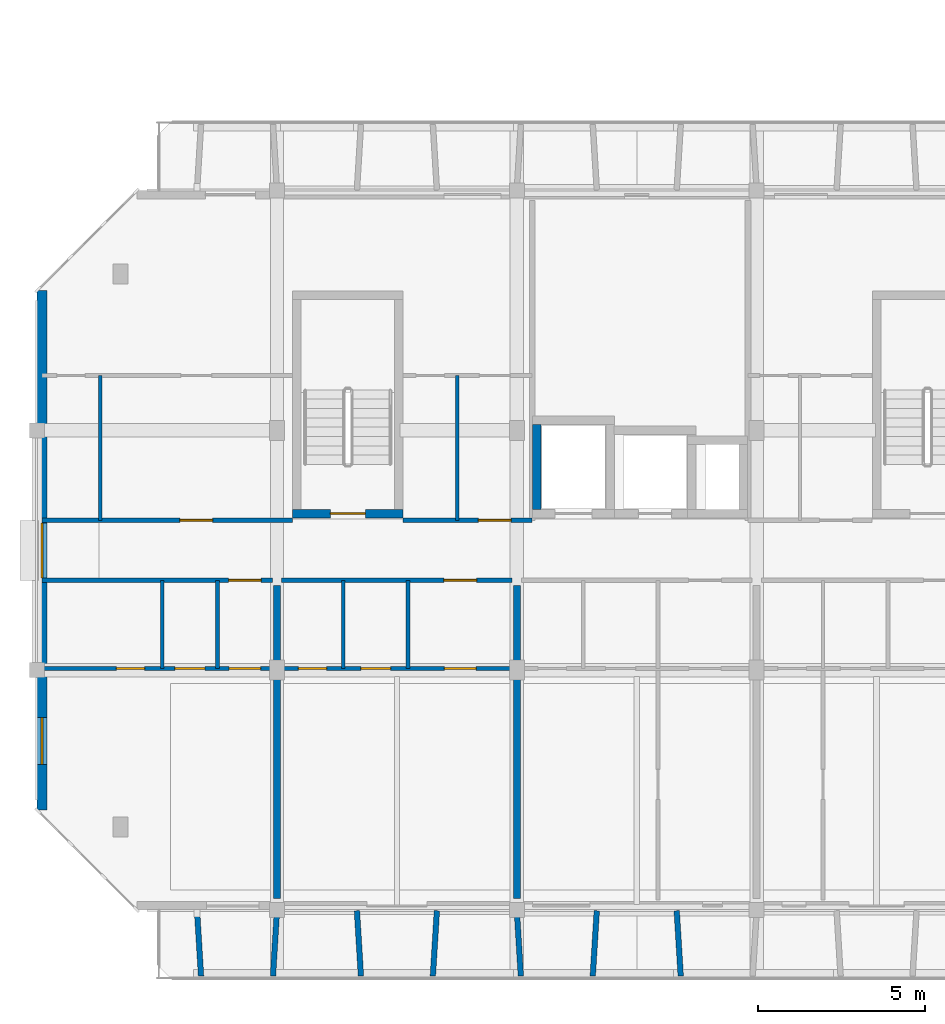
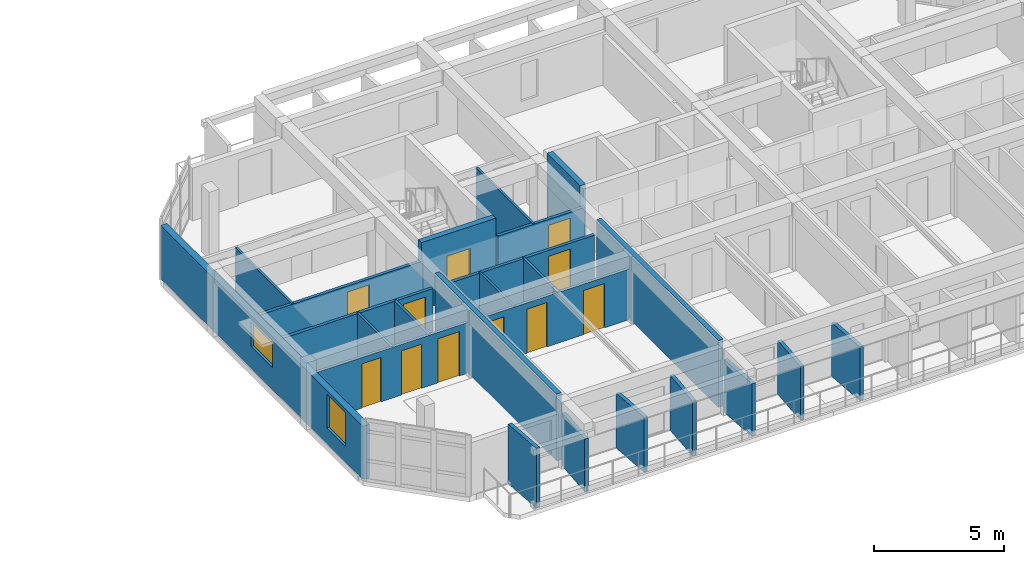
# One storey, part 8 of 22: 24 walls, 11 doors, 2 windows, 13 openings.
"""IFC4 building model written with IfcOpenShell, lengths in metres."""

from ifc_helpers import new_model, si_unit, direction, frame, frame_2d, origin, place, context, subcontext, project, spatial, rectangle, extrude, material, layer, layer_set, type_object, element, fill, save


model = new_model("IFC4")

# Units and contexts
model_context = context("Model", 3, precision=1e-05, world=origin(), true_north=direction((0.0, 1.0)))
body_context = subcontext(model_context, "Body", "Model", "MODEL_VIEW")
ifc_project = project(units=[si_unit("LENGTHUNIT", "METRE"), si_unit("AREAUNIT", "SQUARE_METRE"), si_unit("VOLUMEUNIT", "CUBIC_METRE"), si_unit("PLANEANGLEUNIT", "RADIAN"), si_unit("MASSUNIT", "GRAM", prefix="KILO")], contexts=[model_context])

# Site, building, storey
site_placement = place(None, origin())
site = spatial("IfcSite", under=ifc_project, at=site_placement, CompositionType="ELEMENT")
building_placement = place(site_placement, origin())
building = spatial("IfcBuilding", under=site, at=building_placement, Name="Ochrevale Crest", CompositionType="ELEMENT")
storey_placement = place(building_placement, frame((0.0, 0.0, 40.199951171875)))
storey = spatial("IfcBuildingStorey", under=building, at=storey_placement, Name="L12", CompositionType="ELEMENT", Elevation=40.199951171875)

# Wall, opening, door
ifc_material_1 = material(Name="Gypsum plasterboard", Category="gypsum")
ifc_layer_1 = layer(ifc_material_1, 0.139892578125)
ifc_layer_set_1 = layer_set([ifc_layer_1], Name="Gypsum plasterboard")
wall_type_1 = type_object("IfcWallType", Name="WL-COR-140", PredefinedType="PARTITIONING", material=ifc_layer_set_1)
wall_1_placement = place(storey_placement, frame((129.739990234375, 24.300048828125, 0.0), z_axis=(0.0, 0.0, 1.0), x_axis=(1.0, 0.0, 0.0)))
wall_1 = element("IfcWall", 1, at=wall_1_placement, inside=storey, type_object=wall_type_1, Name="Apartment C-L12-U1 corridor wall", PredefinedType="PARTITIONING", context=body_context, shape_type="SweptSolid", body=[
    extrude(rectangle(XDim=6.919921875, YDim=0.139892578125, at=frame_2d((3.4599609375, 0.0))), origin(), (0.0, 0.0, 1.0), 2.380126953125),
])
opening_1_placement = place(wall_1_placement, frame((5.60498046875, 0.0, 0.0)))
opening_1 = element("IfcOpeningElement", 2, at=opening_1_placement, cuts=wall_1, Name="Opening FD01", PredefinedType="OPENING", context=body_context, shape_type="SweptSolid", body=[
    extrude(rectangle(XDim=0.97998046875, YDim=2.10009765625, at=frame_2d((0.489990234375, 1.050048828125))), frame((0.0, 0.080078125, 0.0), z_axis=(0.0, -1.0, 0.0), x_axis=(1.0, 0.0, 0.0)), (0.0, 0.0, 1.0), 0.159912109375),
])
ifc_material_2 = material(Name="Solid-core FSC hardwood", Category="wood")
door_type_1 = type_object("IfcDoorType", Name="DR-APT-950", OperationType="NOTDEFINED", PredefinedType="DOOR", material=ifc_material_2)
door_1_placement = place(opening_1_placement, origin())
door_1 = element("IfcDoor", 3, at=door_1_placement, inside=storey, type_object=door_type_1, Name="Apartment C-L12-U1 entrance door", OperationType="SINGLE_SWING_LEFT", OverallHeight=2.10009765625, OverallWidth=0.97998046875, PredefinedType="DOOR", context=body_context, shape_type="SweptSolid", body=[
    extrude(rectangle(XDim=0.97998046875, YDim=2.10009765625, at=frame_2d((0.489990234375, 1.050048828125))), frame((0.0, 0.02490234375, 0.0), z_axis=(0.0, -1.0, 0.0), x_axis=(1.0, 0.0, 0.0)), (0.0, 0.0, 1.0), 0.050048828125),
])
fill(opening_1, door_1)

wall_2_placement = place(storey_placement, frame((136.93994140625, 24.300048828125, 0.0), z_axis=(0.0, 0.0, 1.0), x_axis=(1.0, 0.0, 0.0)))
wall_2 = element("IfcWall", 4, at=wall_2_placement, inside=storey, type_object=wall_type_1, Name="Apartment C-L12-U2 corridor wall", PredefinedType="PARTITIONING", context=body_context, shape_type="SweptSolid", body=[
    extrude(rectangle(XDim=6.920166015625, YDim=0.139892578125, at=frame_2d((3.4599609375, 0.0))), origin(), (0.0, 0.0, 1.0), 2.380126953125),
])
opening_2_placement = place(wall_2_placement, frame((4.8701171875, 0.0, 0.0)))
opening_2 = element("IfcOpeningElement", 5, at=opening_2_placement, cuts=wall_2, Name="Opening FD01", PredefinedType="OPENING", context=body_context, shape_type="SweptSolid", body=[
    extrude(rectangle(XDim=0.97998046875, YDim=2.10009765625, at=frame_2d((0.489990234375, 1.050048828125))), frame((0.0, 0.080078125, 0.0), z_axis=(0.0, -1.0, 0.0), x_axis=(1.0, 0.0, 0.0)), (0.0, 0.0, 1.0), 0.159912109375),
])
door_2_placement = place(opening_2_placement, origin())
door_2 = element("IfcDoor", 6, at=door_2_placement, inside=storey, type_object=door_type_1, Name="Apartment C-L12-U2 entrance door", OperationType="SINGLE_SWING_LEFT", OverallHeight=2.10009765625, OverallWidth=0.97998046875, PredefinedType="DOOR", context=body_context, shape_type="SweptSolid", body=[
    extrude(rectangle(XDim=0.97998046875, YDim=2.10009765625, at=frame_2d((0.489990234375, 1.050048828125))), frame((0.0, 0.02490234375, 0.0), z_axis=(0.0, -1.0, 0.0), x_axis=(1.0, 0.0, 0.0)), (0.0, 0.0, 1.0), 0.050048828125),
])
fill(opening_2, door_2)

wall_3_placement = place(storey_placement, frame((129.739990234375, 26.10009765625, 0.0), z_axis=(0.0, 0.0, 1.0), x_axis=(1.0, 0.0, 0.0)))
wall_3 = element("IfcWall", 7, at=wall_3_placement, inside=storey, type_object=wall_type_1, Name="Suite C-L12-CW corridor wall", PredefinedType="PARTITIONING", context=body_context, shape_type="SweptSolid", body=[
    extrude(rectangle(XDim=7.52001953125, YDim=0.139892578125, at=frame_2d((3.760009765625, 0.0))), origin(), (0.0, 0.0, 1.0), 2.380126953125),
])
opening_3_placement = place(wall_3_placement, frame((5.125, 0.0, 0.0), z_axis=(0.0, 0.0, 1.0), x_axis=(-1.0, 0.0, 0.0)))
opening_3 = element("IfcOpeningElement", 8, at=opening_3_placement, cuts=wall_3, Name="Opening FD01", PredefinedType="OPENING", context=body_context, shape_type="SweptSolid", body=[
    extrude(rectangle(XDim=0.97998046875, YDim=2.10009765625, at=frame_2d((0.489990234375, 1.050048828125))), frame((0.0, 0.080078125, 0.0), z_axis=(0.0, -1.0, 0.0), x_axis=(1.0, 0.0, 0.0)), (0.0, 0.0, 1.0), 0.159912109375),
])
door_3_placement = place(opening_3_placement, origin())
door_3 = element("IfcDoor", 9, at=door_3_placement, inside=storey, type_object=door_type_1, Name="Suite C-L12-CW entrance door", OperationType="SINGLE_SWING_RIGHT", OverallHeight=2.10009765625, OverallWidth=0.97998046875, PredefinedType="DOOR", context=body_context, shape_type="SweptSolid", body=[
    extrude(rectangle(XDim=0.97998046875, YDim=2.10009765625, at=frame_2d((0.489990234375, 1.050048828125))), frame((0.0, 0.02490234375, 0.0), z_axis=(0.0, -1.0, 0.0), x_axis=(1.0, 0.0, 0.0)), (0.0, 0.0, 1.0), 0.050048828125),
])
fill(opening_3, door_3)

wall_4_placement = place(storey_placement, frame((140.590087890625, 26.10009765625, 0.0), z_axis=(0.0, 0.0, 1.0), x_axis=(1.0, 0.0, 0.0)))
wall_4 = element("IfcWall", 10, at=wall_4_placement, inside=storey, type_object=wall_type_1, Name="Suite C-L12-MW corridor wall", PredefinedType="PARTITIONING", context=body_context, shape_type="SweptSolid", body=[
    extrude(rectangle(XDim=3.869873046875, YDim=0.139892578125, at=frame_2d((1.93505859375, 0.0))), origin(), (0.0, 0.0, 1.0), 2.380126953125),
])
opening_4_placement = place(wall_4_placement, frame((2.2578125, 0.0, 0.0)))
opening_4 = element("IfcOpeningElement", 11, at=opening_4_placement, cuts=wall_4, Name="Opening FD01", PredefinedType="OPENING", context=body_context, shape_type="SweptSolid", body=[
    extrude(rectangle(XDim=0.97998046875, YDim=2.10009765625, at=frame_2d((0.489990234375, 1.050048828125))), frame((0.0, 0.080078125, 0.0), z_axis=(0.0, -1.0, 0.0), x_axis=(1.0, 0.0, 0.0)), (0.0, 0.0, 1.0), 0.159912109375),
])
door_4_placement = place(opening_4_placement, origin())
door_4 = element("IfcDoor", 12, at=door_4_placement, inside=storey, type_object=door_type_1, Name="Suite C-L12-MW entrance door", OperationType="SINGLE_SWING_LEFT", OverallHeight=2.10009765625, OverallWidth=0.97998046875, PredefinedType="DOOR", context=body_context, shape_type="SweptSolid", body=[
    extrude(rectangle(XDim=0.97998046875, YDim=2.10009765625, at=frame_2d((0.489990234375, 1.050048828125))), frame((0.0, 0.02490234375, 0.0), z_axis=(0.0, -1.0, 0.0), x_axis=(1.0, 0.0, 0.0)), (0.0, 0.0, 1.0), 0.050048828125),
])
fill(opening_4, door_4)

ifc_material_3 = material(Name="Precast concrete C50/60", Category="concrete")
ifc_layer_2 = layer(ifc_material_3, 0.2548828125)
ifc_layer_set_2 = layer_set([ifc_layer_2], Name="Precast concrete C50/60")
wall_type_2 = type_object("IfcWallType", Name="WL-CORE-255", PredefinedType="SHEAR", material=ifc_layer_set_2)
wall_5_placement = place(storey_placement, frame((137.2724609375, 26.300048828125, 0.0), z_axis=(0.0, 0.0, 1.0), x_axis=(1.0, 0.0, 0.0)))
wall_5 = element("IfcWall", 13, at=wall_5_placement, inside=storey, type_object=wall_type_2, Name="Block C L12 Stair 1 precast core shear wall S", PredefinedType="SHEAR", context=body_context, shape_type="SweptSolid", body=[
    extrude(rectangle(XDim=3.304931640625, YDim=0.2548828125, at=frame_2d((1.65234375, 0.0))), origin(), (0.0, 0.0, 1.0), 3.150146484375),
])
opening_5_placement = place(wall_5_placement, frame((2.177490234375, 0.0, 0.0), z_axis=(0.0, 0.0, 1.0), x_axis=(-1.0, 0.0, 0.0)))
opening_5 = element("IfcOpeningElement", 14, at=opening_5_placement, cuts=wall_5, Name="Opening FD03", PredefinedType="OPENING", context=body_context, shape_type="SweptSolid", body=[
    extrude(rectangle(XDim=1.050048828125, YDim=2.1201171875, at=frame_2d((0.52490234375, 1.06005859375))), frame((0.0, 0.137451171875, 0.0), z_axis=(0.0, -1.0, 0.0), x_axis=(1.0, 0.0, 0.0)), (0.0, 0.0, 1.0), 0.27490234375),
])
door_type_2 = type_object("IfcDoorType", Name="DR-ST-1050", OperationType="NOTDEFINED", PredefinedType="DOOR", material=ifc_material_2)
door_5_placement = place(opening_5_placement, origin())
door_5 = element("IfcDoor", 15, at=door_5_placement, inside=storey, type_object=door_type_2, Name="Block C L12 fire stair 1 door", OperationType="SINGLE_SWING_RIGHT", OverallHeight=2.1201171875, OverallWidth=1.050048828125, PredefinedType="DOOR", context=body_context, shape_type="SweptSolid", body=[
    extrude(rectangle(XDim=1.050048828125, YDim=2.1201171875, at=frame_2d((0.52490234375, 1.06005859375))), frame((0.0, 0.02490234375, 0.0), z_axis=(0.0, -1.0, 0.0), x_axis=(1.0, 0.0, 0.0)), (0.0, 0.0, 1.0), 0.050048828125),
])
fill(opening_5, door_5)

# Wall
wall_6_placement = place(storey_placement, frame((144.60009765625, 26.427490234375, 0.0), z_axis=(0.0, 0.0, 1.0), x_axis=(0.0, 1.0, 0.0)))
element("IfcWall", 16, at=wall_6_placement, inside=storey, type_object=wall_type_2, Name="Block C L12 Lift 1 precast shaft shear wall W", PredefinedType="SHEAR", context=body_context, shape_type="SweptSolid", body=[
    extrude(rectangle(XDim=2.544921875, YDim=0.2548828125, at=frame_2d((1.2724609375, 0.0))), origin(), (0.0, 0.0, 1.0), 3.150146484375),
])

# Wall, openings, windows
ifc_material_4 = material(Name="Clay face brickwork", Category="masonry")
ifc_layer_3 = layer(ifc_material_4, 0.2900390625)
ifc_layer_set_3 = layer_set([ifc_layer_3], Name="Clay face brickwork")
wall_type_3 = type_object("IfcWallType", Name="WL-EXT-BRICK-290", PredefinedType="SOLIDWALL", material=ifc_layer_set_3)
wall_7_placement = place(storey_placement, frame((129.7451171875, 33.0, 0.0), z_axis=(0.0, 0.0, 1.0), x_axis=(0.0, -1.0, 0.0)))
wall_7 = element("IfcWall", 17, at=wall_7_placement, inside=storey, type_object=wall_type_3, Name="Block C L12 external facade wall E7", PredefinedType="SOLIDWALL", context=body_context, shape_type="SweptSolid", body=[
    extrude(rectangle(XDim=15.60009765625, YDim=0.2900390625, at=frame_2d((7.800048828125, 0.0))), origin(), (0.0, 0.0, 1.0), 2.510009765625),
])
opening_6_placement = place(wall_7_placement, frame((6.97509765625, 0.0, 1.050048828125)))
opening_6 = element("IfcOpeningElement", 18, at=opening_6_placement, cuts=wall_7, Name="Opening W19", PredefinedType="OPENING", context=body_context, shape_type="SweptSolid", body=[
    extrude(rectangle(XDim=1.64990234375, YDim=1.14990234375, at=frame_2d((0.824951171875, 0.574951171875))), frame((0.0, 0.155029296875, 0.0), z_axis=(0.0, -1.0, 0.0), x_axis=(1.0, 0.0, 0.0)), (0.0, 0.0, 1.0), 0.31005859375),
])
opening_7_placement = place(wall_7_placement, frame((12.8173828125, 0.0, 0.75)))
opening_7 = element("IfcOpeningElement", 19, at=opening_7_placement, cuts=wall_7, Name="Opening W31", PredefinedType="OPENING", context=body_context, shape_type="SweptSolid", body=[
    extrude(rectangle(XDim=1.419921875, YDim=1.60009765625, at=frame_2d((0.7099609375, 0.800048828125))), frame((0.0, 0.155029296875, 0.0), z_axis=(0.0, -1.0, 0.0), x_axis=(1.0, 0.0, 0.0)), (0.0, 0.0, 1.0), 0.31005859375),
])
ifc_material_5 = material(Name="Anodised aluminium 6063-T5 and low-E double glazing", Category="aluminium")
window_type_1 = type_object("IfcWindowType", Name="WIN-W19", PartitioningType="SINGLE_PANEL", PredefinedType="WINDOW", material=ifc_material_5)
window_1_placement = place(opening_6_placement, origin())
window_1 = element("IfcWindow", 20, at=window_1_placement, inside=storey, type_object=window_type_1, Name="Block C L12 corridor end daylight window W", OverallHeight=1.14990234375, OverallWidth=1.64990234375, PartitioningType="SINGLE_PANEL", PredefinedType="WINDOW", context=body_context, shape_type="SweptSolid", body=[
    extrude(rectangle(XDim=1.64990234375, YDim=1.14990234375, at=frame_2d((0.824951171875, 0.574951171875))), frame((0.0, 0.030029296875, 0.0), z_axis=(0.0, -1.0, 0.0), x_axis=(1.0, 0.0, 0.0)), (0.0, 0.0, 1.0), 0.06005859375),
])
fill(opening_6, window_1)
window_type_2 = type_object("IfcWindowType", Name="WIN-W31", PartitioningType="SINGLE_PANEL", PredefinedType="WINDOW", material=ifc_material_5)
window_2_placement = place(opening_7_placement, origin())
window_2 = element("IfcWindow", 21, at=window_2_placement, inside=storey, type_object=window_type_2, Name="Block C L12 side suite window W", OverallHeight=1.60009765625, OverallWidth=1.419921875, PartitioningType="SINGLE_PANEL", PredefinedType="WINDOW", context=body_context, shape_type="SweptSolid", body=[
    extrude(rectangle(XDim=1.419921875, YDim=1.60009765625, at=frame_2d((0.7099609375, 0.800048828125))), frame((0.0, 0.030029296875, 0.0), z_axis=(0.0, -1.0, 0.0), x_axis=(1.0, 0.0, 0.0)), (0.0, 0.0, 1.0), 0.06005859375),
])
fill(opening_7, window_2)

# Walls
ifc_material_6 = material(Name="Precast concrete C40/50", Category="concrete")
ifc_layer_4 = layer(ifc_material_6, 0.1650390625)
ifc_layer_set_4 = layer_set([ifc_layer_4], Name="Precast concrete C40/50")
wall_type_4 = type_object("IfcWallType", Name="WL-HC-CHEEK-165", PredefinedType="ELEMENTEDWALL", material=ifc_layer_set_4)
wall_8_placement = place(storey_placement, frame((134.39990234375, 14.3798828125, 0.0), z_axis=(0.0, 0.0, 1.0), x_axis=(0.061170732449, -0.998127317276, 0.0)))
element("IfcWall", 22, at=wall_8_placement, inside=storey, type_object=wall_type_4, Name="Block C L12 S precast honeycomb cheek 1", PredefinedType="ELEMENTEDWALL", context=body_context, shape_type="SweptSolid", body=[
    extrude(rectangle(XDim=1.963623046875, YDim=0.1650390625, at=frame_2d((0.98193359375, 0.0))), origin(), (0.0, 0.0, 1.0), 2.800048828125),
])
wall_9_placement = place(storey_placement, frame((136.800048828125, 14.3798828125, 0.0), z_axis=(0.0, 0.0, 1.0), x_axis=(-0.061170732449, -0.998127317276, 0.0)))
element("IfcWall", 23, at=wall_9_placement, inside=storey, type_object=wall_type_4, Name="Block C L12 S precast honeycomb cheek 2", PredefinedType="ELEMENTEDWALL", context=body_context, shape_type="SweptSolid", body=[
    extrude(rectangle(XDim=1.963623046875, YDim=0.1650390625, at=frame_2d((0.98193359375, 0.0))), origin(), (0.0, 0.0, 1.0), 2.47998046875),
])
for number, where, z_axis, x_axis, name in (
    (24, (139.199951171875, 14.3798828125, 0.0), (0.0, 0.0, 1.0), (0.061170732449, -0.998127317276, 0.0), "Block C L12 S precast honeycomb cheek 3"),
    (25, (141.60009765625, 14.3798828125, 0.0), (0.0, 0.0, 1.0), (-0.061170732449, -0.998127317276, 0.0), "Block C L12 S precast honeycomb cheek 4"),
):
    element("IfcWall", number, at=place(storey_placement, frame(where, z_axis=z_axis, x_axis=x_axis)), inside=storey, type_object=wall_type_4, Name=name, PredefinedType="ELEMENTEDWALL", context=body_context, shape_type="SweptSolid", body=[
        extrude(rectangle(XDim=1.963623046875, YDim=0.1650390625, at=frame_2d((0.98193359375, 0.0))), origin(), (0.0, 0.0, 1.0), 2.580078125),
    ])
wall_10_placement = place(storey_placement, frame((144.0, 14.3798828125, 0.0), z_axis=(0.0, 0.0, 1.0), x_axis=(0.061170732449, -0.998127317276, 0.0)))
element("IfcWall", 26, at=wall_10_placement, inside=storey, type_object=wall_type_4, Name="Block C L12 S precast honeycomb cheek 5", PredefinedType="ELEMENTEDWALL", context=body_context, shape_type="SweptSolid", body=[
    extrude(rectangle(XDim=1.963623046875, YDim=0.1650390625, at=frame_2d((0.98193359375, 0.0))), origin(), (0.0, 0.0, 1.0), 2.47998046875),
])
for number, where, z_axis, x_axis, name in (
    (27, (146.39990234375, 14.3798828125, 0.0), (0.0, 0.0, 1.0), (-0.061046865508, -0.998134900808, 0.0), "Block C L12 S precast honeycomb cheek 6"),
    (28, (148.800048828125, 14.3798828125, 0.0), (0.0, 0.0, 1.0), (0.061046865508, -0.998134900808, 0.0), "Block C L12 S precast honeycomb cheek 7"),
):
    element("IfcWall", number, at=place(storey_placement, frame(where, z_axis=z_axis, x_axis=x_axis)), inside=storey, type_object=wall_type_4, Name=name, PredefinedType="ELEMENTEDWALL", context=body_context, shape_type="SweptSolid", body=[
        extrude(rectangle(XDim=1.963623046875, YDim=0.1650390625, at=frame_2d((0.98193359375, 0.0))), origin(), (0.0, 0.0, 1.0), 2.530029296875),
    ])
ifc_layer_5 = layer(ifc_material_1, 0.1201171875)
ifc_layer_set_5 = layer_set([ifc_layer_5], Name="Gypsum plasterboard")
wall_type_5 = type_object("IfcWallType", Name="WL-PART-120", PredefinedType="PARTITIONING", material=ifc_layer_set_5)
wall_11_placement = place(storey_placement, frame((135.010009765625, 21.64990234375, 0.0), z_axis=(0.0, 0.0, 1.0), x_axis=(0.0, 1.0, 0.0)))
element("IfcWall", 29, at=wall_11_placement, inside=storey, type_object=wall_type_5, Name="Apartment C-L12-U1 kitchen-foyer wall", PredefinedType="PARTITIONING", context=body_context, shape_type="SweptSolid", body=[
    extrude(rectangle(XDim=2.650146484375, YDim=0.1201171875, at=frame_2d((1.3251953125, 0.0))), origin(), (0.0, 0.0, 1.0), 2.380126953125),
])

# Wall, openings, doors
wall_12_placement = place(storey_placement, frame((129.739990234375, 21.64990234375, 0.0), z_axis=(0.0, 0.0, 1.0), x_axis=(1.0, 0.0, 0.0)))
wall_12 = element("IfcWall", 30, at=wall_12_placement, inside=storey, type_object=wall_type_5, Name="Apartment C-L12-U1 central partition", PredefinedType="PARTITIONING", context=body_context, shape_type="SweptSolid", body=[
    extrude(rectangle(XDim=6.919921875, YDim=0.1201171875, at=frame_2d((3.4599609375, 0.0))), origin(), (0.0, 0.0, 1.0), 2.380126953125),
])
opening_8_placement = place(wall_12_placement, frame((3.090087890625, 0.0, 0.0), z_axis=(0.0, 0.0, 1.0), x_axis=(-1.0, 0.0, 0.0)))
opening_8 = element("IfcOpeningElement", 31, at=opening_8_placement, cuts=wall_12, Name="Opening ID01", PredefinedType="OPENING", context=body_context, shape_type="SweptSolid", body=[
    extrude(rectangle(XDim=0.85009765625, YDim=2.080078125, at=frame_2d((0.425048828125, 1.0400390625))), frame((0.0, 0.070068359375, 0.0), z_axis=(0.0, -1.0, 0.0), x_axis=(1.0, 0.0, 0.0)), (0.0, 0.0, 1.0), 0.14013671875),
])
opening_9_placement = place(wall_12_placement, frame((3.9951171875, 0.0, 0.0)))
opening_9 = element("IfcOpeningElement", 32, at=opening_9_placement, cuts=wall_12, Name="Opening ID02", PredefinedType="OPENING", context=body_context, shape_type="SweptSolid", body=[
    extrude(rectangle(XDim=0.89990234375, YDim=2.080078125, at=frame_2d((0.449951171875, 1.0400390625))), frame((0.0, 0.070068359375, 0.0), z_axis=(0.0, -1.0, 0.0), x_axis=(1.0, 0.0, 0.0)), (0.0, 0.0, 1.0), 0.14013671875),
])
opening_10_placement = place(wall_12_placement, frame((6.570068359375, 0.0, 0.0), z_axis=(0.0, 0.0, 1.0), x_axis=(-1.0, 0.0, 0.0)))
opening_10 = element("IfcOpeningElement", 33, at=opening_10_placement, cuts=wall_12, Name="Opening ID06", PredefinedType="OPENING", context=body_context, shape_type="SweptSolid", body=[
    extrude(rectangle(XDim=0.949951171875, YDim=2.080078125, at=frame_2d((0.47509765625, 1.0400390625))), frame((0.0, 0.070068359375, 0.0), z_axis=(0.0, -1.0, 0.0), x_axis=(1.0, 0.0, 0.0)), (0.0, 0.0, 1.0), 0.14013671875),
])
door_type_3 = type_object("IfcDoorType", Name="DR-INT-900", OperationType="NOTDEFINED", PredefinedType="DOOR", material=ifc_material_2)
door_6_placement = place(opening_9_placement, origin())
door_6 = element("IfcDoor", 34, at=door_6_placement, inside=storey, type_object=door_type_3, Name="Apartment C-L12-U1 Kitchen door", OperationType="SINGLE_SWING_LEFT", OverallHeight=2.080078125, OverallWidth=0.89990234375, PredefinedType="DOOR", context=body_context, shape_type="SweptSolid", body=[
    extrude(rectangle(XDim=0.89990234375, YDim=2.080078125, at=frame_2d((0.449951171875, 1.0400390625))), frame((0.0, 0.02490234375, 0.0), z_axis=(0.0, -1.0, 0.0), x_axis=(1.0, 0.0, 0.0)), (0.0, 0.0, 1.0), 0.050048828125),
])
fill(opening_9, door_6)
door_type_4 = type_object("IfcDoorType", Name="DR-INT-950", OperationType="NOTDEFINED", PredefinedType="DOOR", material=ifc_material_2)
door_7_placement = place(opening_10_placement, origin())
door_7 = element("IfcDoor", 35, at=door_7_placement, inside=storey, type_object=door_type_4, Name="Apartment C-L12-U1 Living Foyer door", OperationType="SINGLE_SWING_RIGHT", OverallHeight=2.080078125, OverallWidth=0.949951171875, PredefinedType="DOOR", context=body_context, shape_type="SweptSolid", body=[
    extrude(rectangle(XDim=0.949951171875, YDim=2.080078125, at=frame_2d((0.47509765625, 1.0400390625))), frame((0.0, 0.02490234375, 0.0), z_axis=(0.0, -1.0, 0.0), x_axis=(1.0, 0.0, 0.0)), (0.0, 0.0, 1.0), 0.050048828125),
])
fill(opening_10, door_7)
door_type_5 = type_object("IfcDoorType", Name="DR-WC-850", OperationType="NOTDEFINED", PredefinedType="DOOR", material=ifc_material_2)
door_8_placement = place(opening_8_placement, origin())
door_8 = element("IfcDoor", 36, at=door_8_placement, inside=storey, type_object=door_type_5, Name="Apartment C-L12-U1 Bathroom door", OperationType="SINGLE_SWING_RIGHT", OverallHeight=2.080078125, OverallWidth=0.85009765625, PredefinedType="DOOR", context=body_context, shape_type="SweptSolid", body=[
    extrude(rectangle(XDim=0.85009765625, YDim=2.080078125, at=frame_2d((0.425048828125, 1.0400390625))), frame((0.0, 0.02490234375, 0.0), z_axis=(0.0, -1.0, 0.0), x_axis=(1.0, 0.0, 0.0)), (0.0, 0.0, 1.0), 0.050048828125),
])
fill(opening_8, door_8)

# Wall
wall_13_placement = place(storey_placement, frame((140.739990234375, 21.64990234375, 0.0), z_axis=(0.0, 0.0, 1.0), x_axis=(0.0, 1.0, 0.0)))
element("IfcWall", 37, at=wall_13_placement, inside=storey, type_object=wall_type_5, Name="Apartment C-L12-U2 kitchen-foyer wall", PredefinedType="PARTITIONING", context=body_context, shape_type="SweptSolid", body=[
    extrude(rectangle(XDim=2.650146484375, YDim=0.1201171875, at=frame_2d((1.3251953125, 0.0))), origin(), (0.0, 0.0, 1.0), 2.380126953125),
])

# Wall, openings, doors
wall_14_placement = place(storey_placement, frame((136.93994140625, 21.64990234375, 0.0), z_axis=(0.0, 0.0, 1.0), x_axis=(1.0, 0.0, 0.0)))
wall_14 = element("IfcWall", 38, at=wall_14_placement, inside=storey, type_object=wall_type_5, Name="Apartment C-L12-U2 central partition", PredefinedType="PARTITIONING", context=body_context, shape_type="SweptSolid", body=[
    extrude(rectangle(XDim=6.920166015625, YDim=0.1201171875, at=frame_2d((3.4599609375, 0.0))), origin(), (0.0, 0.0, 1.0), 2.380126953125),
])
opening_11_placement = place(wall_14_placement, frame((1.35009765625, 0.0, 0.0), z_axis=(0.0, 0.0, 1.0), x_axis=(-1.0, 0.0, 0.0)))
opening_11 = element("IfcOpeningElement", 39, at=opening_11_placement, cuts=wall_14, Name="Opening ID01", PredefinedType="OPENING", context=body_context, shape_type="SweptSolid", body=[
    extrude(rectangle(XDim=0.85009765625, YDim=2.080078125, at=frame_2d((0.425048828125, 1.0400390625))), frame((0.0, 0.070068359375, 0.0), z_axis=(0.0, -1.0, 0.0), x_axis=(1.0, 0.0, 0.0)), (0.0, 0.0, 1.0), 0.14013671875),
])
opening_12_placement = place(wall_14_placement, frame((2.375, 0.0, 0.0)))
opening_12 = element("IfcOpeningElement", 40, at=opening_12_placement, cuts=wall_14, Name="Opening ID02", PredefinedType="OPENING", context=body_context, shape_type="SweptSolid", body=[
    extrude(rectangle(XDim=0.89990234375, YDim=2.080078125, at=frame_2d((0.449951171875, 1.0400390625))), frame((0.0, 0.070068359375, 0.0), z_axis=(0.0, -1.0, 0.0), x_axis=(1.0, 0.0, 0.0)), (0.0, 0.0, 1.0), 0.14013671875),
])
opening_13_placement = place(wall_14_placement, frame((5.8349609375, 0.0, 0.0), z_axis=(0.0, 0.0, 1.0), x_axis=(-1.0, 0.0, 0.0)))
opening_13 = element("IfcOpeningElement", 41, at=opening_13_placement, cuts=wall_14, Name="Opening ID06", PredefinedType="OPENING", context=body_context, shape_type="SweptSolid", body=[
    extrude(rectangle(XDim=0.949951171875, YDim=2.080078125, at=frame_2d((0.47509765625, 1.0400390625))), frame((0.0, 0.070068359375, 0.0), z_axis=(0.0, -1.0, 0.0), x_axis=(1.0, 0.0, 0.0)), (0.0, 0.0, 1.0), 0.14013671875),
])
door_9_placement = place(opening_12_placement, origin())
door_9 = element("IfcDoor", 42, at=door_9_placement, inside=storey, type_object=door_type_3, Name="Apartment C-L12-U2 Kitchen door", OperationType="SINGLE_SWING_LEFT", OverallHeight=2.080078125, OverallWidth=0.89990234375, PredefinedType="DOOR", context=body_context, shape_type="SweptSolid", body=[
    extrude(rectangle(XDim=0.89990234375, YDim=2.080078125, at=frame_2d((0.449951171875, 1.0400390625))), frame((0.0, 0.02490234375, 0.0), z_axis=(0.0, -1.0, 0.0), x_axis=(1.0, 0.0, 0.0)), (0.0, 0.0, 1.0), 0.050048828125),
])
fill(opening_12, door_9)
door_10_placement = place(opening_13_placement, origin())
door_10 = element("IfcDoor", 43, at=door_10_placement, inside=storey, type_object=door_type_4, Name="Apartment C-L12-U2 Living Foyer door", OperationType="SINGLE_SWING_RIGHT", OverallHeight=2.080078125, OverallWidth=0.949951171875, PredefinedType="DOOR", context=body_context, shape_type="SweptSolid", body=[
    extrude(rectangle(XDim=0.949951171875, YDim=2.080078125, at=frame_2d((0.47509765625, 1.0400390625))), frame((0.0, 0.02490234375, 0.0), z_axis=(0.0, -1.0, 0.0), x_axis=(1.0, 0.0, 0.0)), (0.0, 0.0, 1.0), 0.050048828125),
])
fill(opening_13, door_10)
door_11_placement = place(opening_11_placement, origin())
door_11 = element("IfcDoor", 44, at=door_11_placement, inside=storey, type_object=door_type_5, Name="Apartment C-L12-U2 Bathroom door", OperationType="SINGLE_SWING_RIGHT", OverallHeight=2.080078125, OverallWidth=0.85009765625, PredefinedType="DOOR", context=body_context, shape_type="SweptSolid", body=[
    extrude(rectangle(XDim=0.85009765625, YDim=2.080078125, at=frame_2d((0.425048828125, 1.0400390625))), frame((0.0, 0.02490234375, 0.0), z_axis=(0.0, -1.0, 0.0), x_axis=(1.0, 0.0, 0.0)), (0.0, 0.0, 1.0), 0.050048828125),
])
fill(opening_11, door_11)

# Walls
ifc_layer_6 = layer(ifc_material_6, 0.2099609375)
ifc_layer_set_6 = layer_set([ifc_layer_6], Name="Precast concrete C40/50")
wall_type_6 = type_object("IfcWallType", Name="WL-SHEAR-210", PredefinedType="SHEAR", material=ifc_layer_set_6)
for number, where, z_axis, x_axis, name in (
    (45, (136.800048828125, 14.75, 0.0), (0.0, 0.0, 1.0), (0.0, 1.0, 0.0), "Block C L12 load-bearing precast cross-wall X=136.8"),
    (46, (144.0, 14.75, 0.0), (0.0, 0.0, 1.0), (0.0, 1.0, 0.0), "Block C L12 load-bearing precast cross-wall X=144.0"),
):
    element("IfcWall", number, at=place(storey_placement, frame(where, z_axis=z_axis, x_axis=x_axis)), inside=storey, type_object=wall_type_6, Name=name, PredefinedType="SHEAR", context=body_context, shape_type="SweptSolid", body=[
        extrude(rectangle(XDim=9.39990234375, YDim=0.2099609375, at=frame_2d((4.699951171875, 0.0))), origin(), (0.0, 0.0, 1.0), 3.150146484375),
    ])
ifc_layer_7 = layer(ifc_material_1, 0.10009765625)
ifc_layer_set_7 = layer_set([ifc_layer_7], Name="Gypsum plasterboard")
wall_type_7 = type_object("IfcWallType", Name="WL-WET-100", PredefinedType="PARTITIONING", material=ifc_layer_set_7)
for number, where, z_axis, x_axis, name in (
    (47, (133.360107421875, 21.64990234375, 0.0), (0.0, 0.0, 1.0), (0.0, 1.0, 0.0), "Apartment C-L12-U1 bath-kitchen wall"),
    (48, (138.7900390625, 21.64990234375, 0.0), (0.0, 0.0, 1.0), (0.0, 1.0, 0.0), "Apartment C-L12-U2 bath-kitchen wall"),
):
    element("IfcWall", number, at=place(storey_placement, frame(where, z_axis=z_axis, x_axis=x_axis)), inside=storey, type_object=wall_type_7, Name=name, PredefinedType="PARTITIONING", context=body_context, shape_type="SweptSolid", body=[
        extrude(rectangle(XDim=2.650146484375, YDim=0.10009765625, at=frame_2d((1.3251953125, 0.0))), origin(), (0.0, 0.0, 1.0), 2.380126953125),
    ])
for number, where, z_axis, x_axis, name in (
    (49, (131.489990234375, 26.10009765625, 0.0), (0.0, 0.0, 1.0), (0.0, 1.0, 0.0), "Suite C-L12-CW bathroom divider"),
    (50, (142.21533203125, 26.10009765625, 0.0), (0.0, 0.0, 1.0), (0.0, 1.0, 0.0), "Suite C-L12-MW bathroom divider"),
):
    element("IfcWall", number, at=place(storey_placement, frame(where, z_axis=z_axis, x_axis=x_axis)), inside=storey, type_object=wall_type_7, Name=name, PredefinedType="PARTITIONING", context=body_context, shape_type="SweptSolid", body=[
        extrude(rectangle(XDim=4.349853515625, YDim=0.10009765625, at=frame_2d((2.1748046875, 0.0))), origin(), (0.0, 0.0, 1.0), 2.380126953125),
    ])

save(model, "model.ifc")
